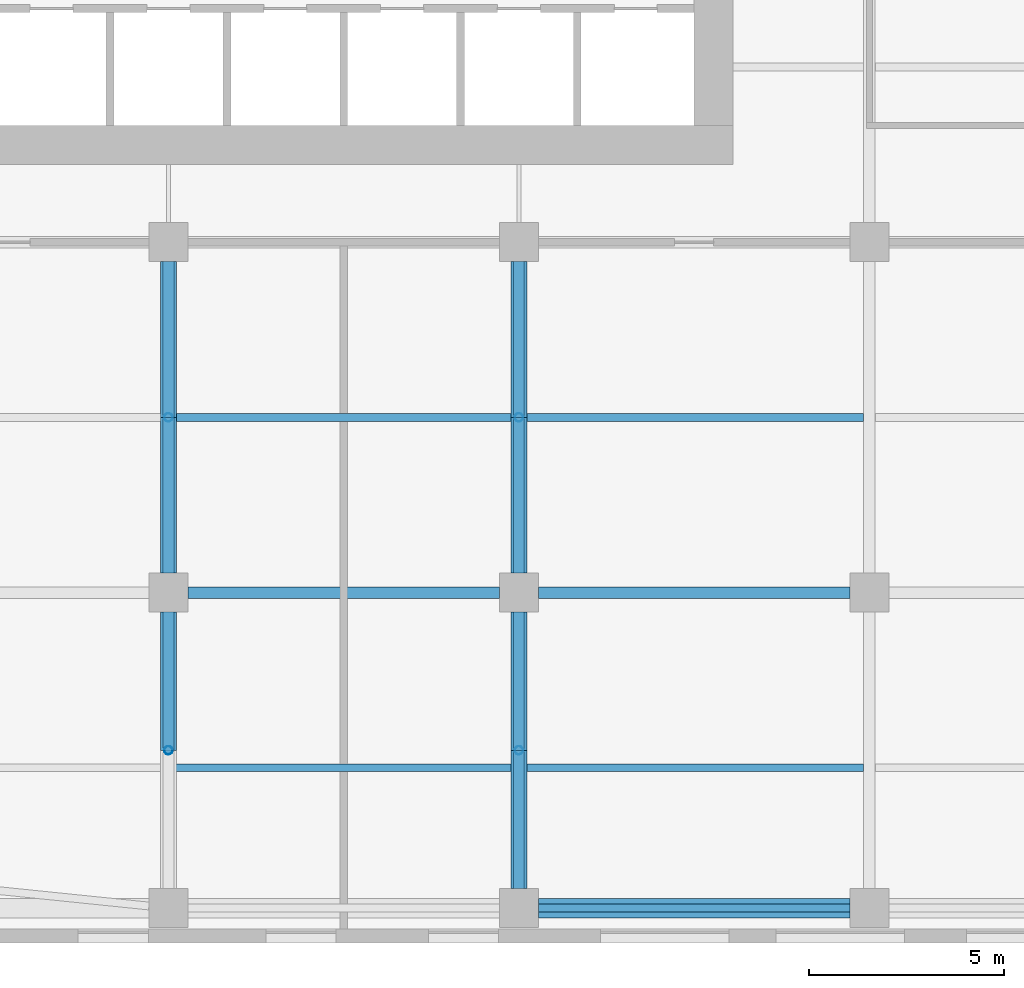
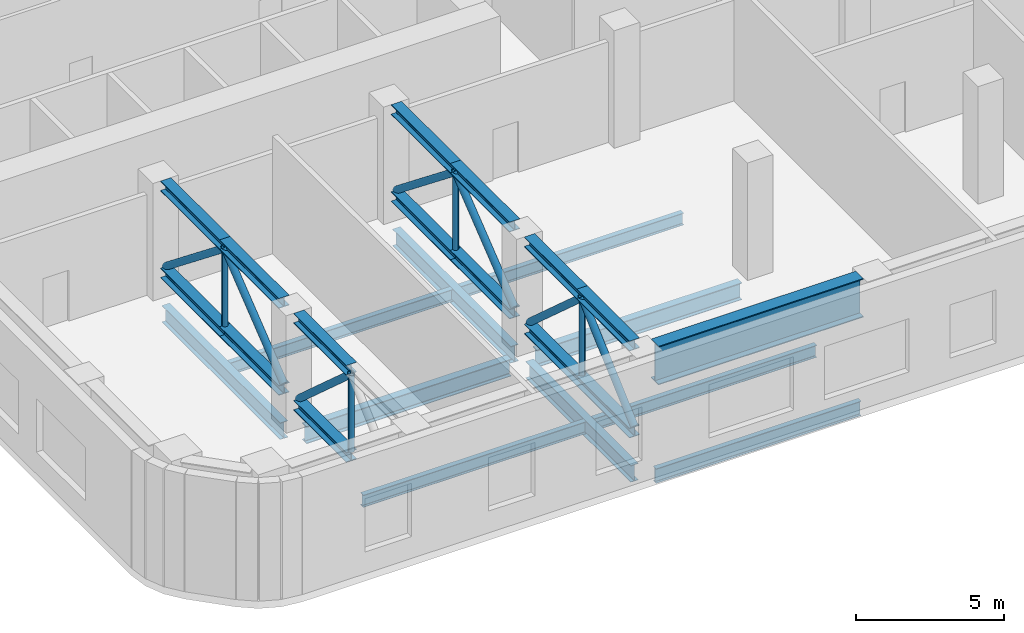
# One storey, part 3 of 23: 25 members, 11 beams.
"""IFC4 building model written with IfcOpenShell, lengths in metres."""

from ifc_helpers import new_model, si_unit, direction, frame, origin, origin_2d, place, context, subcontext, project, spatial, hollow_circle, i_section, extrude, material, material_profile, profile_set, type_object, element, save


model = new_model("IFC4")

# Units and contexts
model_context = context("Model", 3, precision=1e-05, world=origin(), true_north=direction((0.0, 1.0)))
body_context = subcontext(model_context, "Body", "Model", "MODEL_VIEW")
ifc_project = project(units=[si_unit("LENGTHUNIT", "METRE"), si_unit("AREAUNIT", "SQUARE_METRE"), si_unit("VOLUMEUNIT", "CUBIC_METRE"), si_unit("PLANEANGLEUNIT", "RADIAN"), si_unit("MASSUNIT", "GRAM", prefix="KILO")], contexts=[model_context])

# Site, building, storey
site_placement = place(None, origin())
site = spatial("IfcSite", under=ifc_project, at=site_placement, CompositionType="ELEMENT")
building_placement = place(site_placement, origin())
building = spatial("IfcBuilding", under=site, at=building_placement, Name="Cinnabar Reach Civic Tower", CompositionType="ELEMENT")
storey_placement = place(building_placement, frame((0.0, 0.0, 46.0)))
storey = spatial("IfcBuildingStorey", under=building, at=storey_placement, Name="L10", CompositionType="ELEMENT", Elevation=46.0)

# Beam
ifc_material = material(Name="Steel Q355B", Category="steel")
ifc_material_profile_1 = material_profile(ifc_material, i_section(OverallWidth=0.5, OverallDepth=1.6, WebThickness=0.025, FlangeThickness=0.04, at=origin_2d()), Name="BH1600x500x25x40")
ifc_profile_set_1 = profile_set([ifc_material_profile_1], Name="Steel Q355B")
beam_type_1 = type_object("IfcBeamType", Name="BELT BH1600x500x25x40 R 240", PredefinedType="BEAM", material=ifc_profile_set_1)
beam_1_placement = place(storey_placement, frame((26.498, 0.9, 4.05), z_axis=(-1.0, 0.0, 0.0), x_axis=(0.0, -1.0, 0.0)))
element("IfcBeam", 1, at=beam_1_placement, inside=storey, type_object=beam_type_1, Name="BELT girder T1-L10-BG", PredefinedType="BEAM", context=body_context, shape_type="SweptSolid", body=[
    extrude(i_section(OverallWidth=0.5, OverallDepth=1.6, WebThickness=0.025, FlangeThickness=0.04, at=origin_2d()), origin(), (0.0, 0.0, 1.0), 7.996),
])

# Members
ifc_material_profile_2 = material_profile(ifc_material, hollow_circle(Radius=0.1095, WallThickness=0.008, at=origin_2d()), Name="CHS219x8")
ifc_profile_set_2 = profile_set([ifc_material_profile_2], Name="Steel Q355B")
member_type_1 = type_object("IfcMemberType", Name="CHS219x8 post R 240", PredefinedType="POST", material=ifc_profile_set_2)
for number, where, z_axis, x_axis, name in (
    (2, (9.0, 13.5, 1.264), (0.0, 0.0, 1.0), (1.0, 0.0, 0.0), "Outrigger truss post T1-L10-TR-S9"),
    (3, (9.0, 4.95, 1.264), (0.0, 0.0, 1.0), (1.0, 0.0, 0.0), "Outrigger truss post T1-L10-TR-S9"),
    (4, (18.0, 13.5, 1.264), (0.0, 0.0, 1.0), (1.0, 0.0, 0.0), "Outrigger truss post T1-L10-TR-S18"),
    (5, (18.0, 4.95, 1.264), (0.0, 0.0, 1.0), (1.0, 0.0, 0.0), "Outrigger truss post T1-L10-TR-S18"),
):
    element("IfcMember", number, at=place(storey_placement, frame(where, z_axis=z_axis, x_axis=x_axis)), inside=storey, type_object=member_type_1, Name=name, PredefinedType="POST", context=body_context, shape_type="SweptSolid", body=[
        extrude(hollow_circle(Radius=0.1095, WallThickness=0.008, at=origin_2d()), origin(), (0.0, 0.0, 1.0), 3.172),
    ])
ifc_material_profile_3 = material_profile(ifc_material, hollow_circle(Radius=0.1365, WallThickness=0.01, at=origin_2d()), Name="CHS273x10")
ifc_profile_set_3 = profile_set([ifc_material_profile_3], Name="Steel Q355B")
member_type_2 = type_object("IfcMemberType", Name="CHS273x10 brace R 240", PredefinedType="BRACE", material=ifc_profile_set_3)
for number, where, z_axis, x_axis, name in (
    (6, (9.0, 17.498, 1.264), (0.0, -0.783385820747, 0.621535723714), (1.0, 0.0, 0.0), "Outrigger truss diagonal T1-L10-TR-S9"),
    (7, (9.0, 13.5, 4.436), (0.0, -0.783385820747, -0.621535723714), (1.0, 0.0, 0.0), "Outrigger truss diagonal T1-L10-TR-S9"),
):
    element("IfcMember", number, at=place(storey_placement, frame(where, z_axis=z_axis, x_axis=x_axis)), inside=storey, type_object=member_type_2, Name=name, PredefinedType="BRACE", context=body_context, shape_type="SweptSolid", body=[
        extrude(hollow_circle(Radius=0.1365, WallThickness=0.01, at=origin_2d()), origin(), (0.0, 0.0, 1.0), 5.1035),
    ])
member_placement = place(storey_placement, frame((9.0, 8.498, 1.264), z_axis=(0.0, -0.745505036371, 0.666499993058), x_axis=(1.0, 0.0, 0.0)))
element("IfcMember", 8, at=member_placement, inside=storey, type_object=member_type_2, Name="Outrigger truss diagonal T1-L10-TR-S9", PredefinedType="BRACE", context=body_context, shape_type="SweptSolid", body=[
    extrude(hollow_circle(Radius=0.1365, WallThickness=0.01, at=origin_2d()), origin(), (0.0, 0.0, 1.0), 4.7592),
])
for number, where, z_axis, x_axis, name in (
    (9, (18.0, 17.498, 1.264), (0.0, -0.783385820747, 0.621535723714), (1.0, 0.0, 0.0), "Outrigger truss diagonal T1-L10-TR-S18"),
    (10, (18.0, 13.5, 4.436), (0.0, -0.783385820747, -0.621535723714), (1.0, 0.0, 0.0), "Outrigger truss diagonal T1-L10-TR-S18"),
):
    element("IfcMember", number, at=place(storey_placement, frame(where, z_axis=z_axis, x_axis=x_axis)), inside=storey, type_object=member_type_2, Name=name, PredefinedType="BRACE", context=body_context, shape_type="SweptSolid", body=[
        extrude(hollow_circle(Radius=0.1365, WallThickness=0.01, at=origin_2d()), origin(), (0.0, 0.0, 1.0), 5.1035),
    ])
for number, where, z_axis, x_axis, name in (
    (11, (18.0, 8.498, 1.264), (0.0, -0.745505036371, 0.666499993058), (1.0, 0.0, 0.0), "Outrigger truss diagonal T1-L10-TR-S18"),
    (12, (18.0, 4.95, 4.436), (0.0, -0.745505036371, -0.666499993058), (1.0, 0.0, 0.0), "Outrigger truss diagonal T1-L10-TR-S18"),
):
    element("IfcMember", number, at=place(storey_placement, frame(where, z_axis=z_axis, x_axis=x_axis)), inside=storey, type_object=member_type_2, Name=name, PredefinedType="BRACE", context=body_context, shape_type="SweptSolid", body=[
        extrude(hollow_circle(Radius=0.1365, WallThickness=0.01, at=origin_2d()), origin(), (0.0, 0.0, 1.0), 4.7592),
    ])

# Beams
ifc_material_profile_4 = material_profile(ifc_material, i_section(OverallWidth=0.2, OverallDepth=0.5, WebThickness=0.01, FlangeThickness=0.016, FilletRadius=0.016, at=origin_2d()), Name="HN500x200x10x16")
ifc_profile_set_4 = profile_set([ifc_material_profile_4], Name="Steel Q355B")
beam_type_2 = type_object("IfcBeamType", Name="HN500x200x10x16 beam R 180", PredefinedType="BEAM", material=ifc_profile_set_4)
for number, where, z_axis, x_axis, name in (
    (13, (9.152, 4.5, -0.55), (1.0, 0.0, 0.0), (0.0, 1.0, 0.0), "Secondary beam T1 L10 2"),
    (14, (18.152, 4.5, -0.55), (1.0, 0.0, 0.0), (0.0, 1.0, 0.0), "Secondary beam T1 L10 3"),
    (15, (9.152, 13.5, -0.55), (1.0, 0.0, 0.0), (0.0, 1.0, 0.0), "Secondary beam T1 L10 8"),
    (16, (18.152, 13.5, -0.55), (1.0, 0.0, 0.0), (0.0, 1.0, 0.0), "Secondary beam T1 L10 9"),
):
    element("IfcBeam", number, at=place(storey_placement, frame(where, z_axis=z_axis, x_axis=x_axis)), inside=storey, type_object=beam_type_2, Name=name, PredefinedType="BEAM", context=body_context, shape_type="SweptSolid", body=[
        extrude(i_section(OverallWidth=0.2, OverallDepth=0.5, WebThickness=0.01, FlangeThickness=0.016, FilletRadius=0.016, at=origin_2d()), origin(), (0.0, 0.0, 1.0), 8.696),
    ])
ifc_material_profile_5 = material_profile(ifc_material, i_section(OverallWidth=0.2, OverallDepth=0.6, WebThickness=0.011, FlangeThickness=0.017, FilletRadius=0.016, at=origin_2d()), Name="HN600x200x11x17")
ifc_profile_set_5 = profile_set([ifc_material_profile_5], Name="Steel Q355B")
beam_type_3 = type_object("IfcBeamType", Name="HN600x200x11x17 beam R 180", PredefinedType="BEAM", material=ifc_profile_set_5)
beam_2_placement = place(storey_placement, frame((18.502, 0.9, -0.6), z_axis=(1.0, 0.0, 0.0), x_axis=(0.0, 1.0, 0.0)))
element("IfcBeam", 17, at=beam_2_placement, inside=storey, type_object=beam_type_3, Name="Edge beam T1 L10 3", PredefinedType="BEAM", context=body_context, shape_type="SweptSolid", body=[
    extrude(i_section(OverallWidth=0.2, OverallDepth=0.6, WebThickness=0.011, FlangeThickness=0.017, FilletRadius=0.016, at=origin_2d()), origin(), (0.0, 0.0, 1.0), 7.996),
])
ifc_material_profile_6 = material_profile(ifc_material, i_section(OverallWidth=0.3, OverallDepth=0.692, WebThickness=0.013, FlangeThickness=0.02, FilletRadius=0.016, at=origin_2d()), Name="HN692x300x13x20")
ifc_profile_set_6 = profile_set([ifc_material_profile_6], Name="Steel Q355B")
beam_type_4 = type_object("IfcBeamType", Name="HN692x300x13x20 beam R 180", PredefinedType="BEAM", material=ifc_profile_set_6)
beam_3_placement = place(storey_placement, frame((9.0, 9.502, -0.646), z_axis=(0.0, 1.0, 0.0), x_axis=(-1.0, 0.0, 0.0)))
element("IfcBeam", 18, at=beam_3_placement, inside=storey, type_object=beam_type_4, Name="Girder T1 L10 2", PredefinedType="BEAM", context=body_context, shape_type="SweptSolid", body=[
    extrude(i_section(OverallWidth=0.3, OverallDepth=0.692, WebThickness=0.013, FlangeThickness=0.02, FilletRadius=0.016, at=origin_2d()), origin(), (0.0, 0.0, 1.0), 7.996),
])
beam_4_placement = place(storey_placement, frame((18.0, 1.402, -0.646), z_axis=(0.0, 1.0, 0.0), x_axis=(-1.0, 0.0, 0.0)))
element("IfcBeam", 19, at=beam_4_placement, inside=storey, type_object=beam_type_4, Name="Girder T1 L10 4", PredefinedType="BEAM", context=body_context, shape_type="SweptSolid", body=[
    extrude(i_section(OverallWidth=0.3, OverallDepth=0.692, WebThickness=0.013, FlangeThickness=0.02, FilletRadius=0.016, at=origin_2d()), origin(), (0.0, 0.0, 1.0), 7.096),
])
beam_5_placement = place(storey_placement, frame((18.0, 9.502, -0.646), z_axis=(0.0, 1.0, 0.0), x_axis=(-1.0, 0.0, 0.0)))
element("IfcBeam", 20, at=beam_5_placement, inside=storey, type_object=beam_type_4, Name="Girder T1 L10 5", PredefinedType="BEAM", context=body_context, shape_type="SweptSolid", body=[
    extrude(i_section(OverallWidth=0.3, OverallDepth=0.692, WebThickness=0.013, FlangeThickness=0.02, FilletRadius=0.016, at=origin_2d()), origin(), (0.0, 0.0, 1.0), 7.996),
])
ifc_material_profile_7 = material_profile(ifc_material, i_section(OverallWidth=0.3, OverallDepth=0.7, WebThickness=0.013, FlangeThickness=0.024, FilletRadius=0.02, at=origin_2d()), Name="HN700x300x13x24")
ifc_profile_set_7 = profile_set([ifc_material_profile_7], Name="Steel Q355B")
beam_type_5 = type_object("IfcBeamType", Name="HN700x300x13x24 beam R 180", PredefinedType="BEAM", material=ifc_profile_set_7)
for number, where, z_axis, x_axis, name in (
    (21, (9.502, 9.0, -0.65), (1.0, 0.0, 0.0), (0.0, 1.0, 0.0), "Girder T1 L10 2"),
    (22, (18.502, 9.0, -0.65), (1.0, 0.0, 0.0), (0.0, 1.0, 0.0), "Girder T1 L10 3"),
):
    element("IfcBeam", number, at=place(storey_placement, frame(where, z_axis=z_axis, x_axis=x_axis)), inside=storey, type_object=beam_type_5, Name=name, PredefinedType="BEAM", context=body_context, shape_type="SweptSolid", body=[
        extrude(i_section(OverallWidth=0.3, OverallDepth=0.7, WebThickness=0.013, FlangeThickness=0.024, FilletRadius=0.02, at=origin_2d()), origin(), (0.0, 0.0, 1.0), 7.996),
    ])

# Members
ifc_material_profile_8 = material_profile(ifc_material, i_section(OverallWidth=0.405, OverallDepth=0.414, WebThickness=0.018, FlangeThickness=0.028, FilletRadius=0.016, at=origin_2d()), Name="HW414x405x18x28")
ifc_profile_set_8 = profile_set([ifc_material_profile_8], Name="Steel Q355B")
member_type_3 = type_object("IfcMemberType", Name="HW414x405x18x28 chord R 240", PredefinedType="CHORD", material=ifc_profile_set_8)
for number, where, z_axis, x_axis, name in (
    (23, (9.0, 17.498, 4.643), (0.0, -1.0, 0.0), (1.0, 0.0, 0.0), "Outrigger truss chord T1-L10-TR-S9"),
    (24, (9.0, 13.5, 4.643), (0.0, -1.0, 0.0), (1.0, 0.0, 0.0), "Outrigger truss chord T1-L10-TR-S9"),
    (25, (9.0, 17.498, 1.057), (0.0, -1.0, 0.0), (1.0, 0.0, 0.0), "Outrigger truss chord T1-L10-TR-S9"),
    (26, (9.0, 13.5, 1.057), (0.0, -1.0, 0.0), (1.0, 0.0, 0.0), "Outrigger truss chord T1-L10-TR-S9"),
):
    element("IfcMember", number, at=place(storey_placement, frame(where, z_axis=z_axis, x_axis=x_axis)), inside=storey, type_object=member_type_3, Name=name, PredefinedType="CHORD", context=body_context, shape_type="SweptSolid", body=[
        extrude(i_section(OverallWidth=0.405, OverallDepth=0.414, WebThickness=0.018, FlangeThickness=0.028, FilletRadius=0.016, at=origin_2d()), origin(), (0.0, 0.0, 1.0), 3.998),
    ])
for number, where, z_axis, x_axis, name in (
    (27, (9.0, 8.498, 4.643), (0.0, -1.0, 0.0), (1.0, 0.0, 0.0), "Outrigger truss chord T1-L10-TR-S9"),
    (28, (9.0, 8.498, 1.057), (0.0, -1.0, 0.0), (1.0, 0.0, 0.0), "Outrigger truss chord T1-L10-TR-S9"),
):
    element("IfcMember", number, at=place(storey_placement, frame(where, z_axis=z_axis, x_axis=x_axis)), inside=storey, type_object=member_type_3, Name=name, PredefinedType="CHORD", context=body_context, shape_type="SweptSolid", body=[
        extrude(i_section(OverallWidth=0.405, OverallDepth=0.414, WebThickness=0.018, FlangeThickness=0.028, FilletRadius=0.016, at=origin_2d()), origin(), (0.0, 0.0, 1.0), 3.548),
    ])
for number, where, z_axis, x_axis, name in (
    (29, (18.0, 17.498, 4.643), (0.0, -1.0, 0.0), (1.0, 0.0, 0.0), "Outrigger truss chord T1-L10-TR-S18"),
    (30, (18.0, 13.5, 4.643), (0.0, -1.0, 0.0), (1.0, 0.0, 0.0), "Outrigger truss chord T1-L10-TR-S18"),
    (31, (18.0, 17.498, 1.057), (0.0, -1.0, 0.0), (1.0, 0.0, 0.0), "Outrigger truss chord T1-L10-TR-S18"),
    (32, (18.0, 13.5, 1.057), (0.0, -1.0, 0.0), (1.0, 0.0, 0.0), "Outrigger truss chord T1-L10-TR-S18"),
):
    element("IfcMember", number, at=place(storey_placement, frame(where, z_axis=z_axis, x_axis=x_axis)), inside=storey, type_object=member_type_3, Name=name, PredefinedType="CHORD", context=body_context, shape_type="SweptSolid", body=[
        extrude(i_section(OverallWidth=0.405, OverallDepth=0.414, WebThickness=0.018, FlangeThickness=0.028, FilletRadius=0.016, at=origin_2d()), origin(), (0.0, 0.0, 1.0), 3.998),
    ])
for number, where, z_axis, x_axis, name in (
    (33, (18.0, 8.498, 4.643), (0.0, -1.0, 0.0), (1.0, 0.0, 0.0), "Outrigger truss chord T1-L10-TR-S18"),
    (34, (18.0, 4.95, 4.643), (0.0, -1.0, 0.0), (1.0, 0.0, 0.0), "Outrigger truss chord T1-L10-TR-S18"),
    (35, (18.0, 8.498, 1.057), (0.0, -1.0, 0.0), (1.0, 0.0, 0.0), "Outrigger truss chord T1-L10-TR-S18"),
    (36, (18.0, 4.95, 1.057), (0.0, -1.0, 0.0), (1.0, 0.0, 0.0), "Outrigger truss chord T1-L10-TR-S18"),
):
    element("IfcMember", number, at=place(storey_placement, frame(where, z_axis=z_axis, x_axis=x_axis)), inside=storey, type_object=member_type_3, Name=name, PredefinedType="CHORD", context=body_context, shape_type="SweptSolid", body=[
        extrude(i_section(OverallWidth=0.405, OverallDepth=0.414, WebThickness=0.018, FlangeThickness=0.028, FilletRadius=0.016, at=origin_2d()), origin(), (0.0, 0.0, 1.0), 3.548),
    ])

save(model, "model.ifc")
